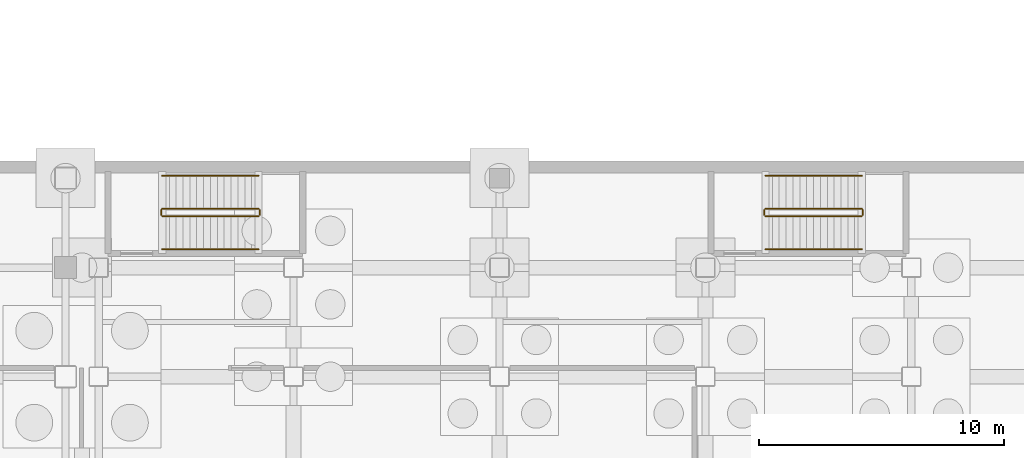
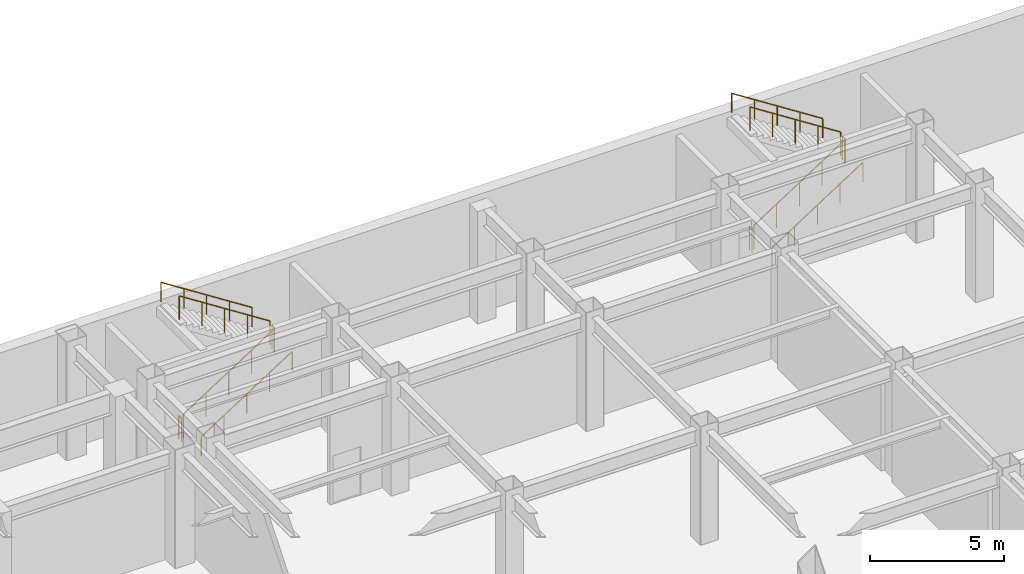
# One storey, part 49 of 55: 12 railings.
"""IFC4 building model written with IfcOpenShell, lengths in metres."""

from ifc_helpers import new_model, si_unit, direction, frame, origin, origin_2d, place, context, subcontext, project, spatial, circle, extrude, material, type_object, element, save


model = new_model("IFC4")

# Units and contexts
model_context = context("Model", 3, precision=1e-05, world=origin(), true_north=direction((0.0, 1.0)))
body_context = subcontext(model_context, "Body", "Model", "MODEL_VIEW")
ifc_project = project(units=[si_unit("LENGTHUNIT", "METRE"), si_unit("AREAUNIT", "SQUARE_METRE"), si_unit("VOLUMEUNIT", "CUBIC_METRE"), si_unit("PLANEANGLEUNIT", "RADIAN"), si_unit("MASSUNIT", "GRAM", prefix="KILO")], contexts=[model_context])

# Site, building, storey
site_placement = place(None, origin())
site = spatial("IfcSite", under=ifc_project, at=site_placement, CompositionType="ELEMENT")
building_placement = place(site_placement, origin())
building = spatial("IfcBuilding", under=site, at=building_placement, Name="Kazehara Bluff Congress Hotel", CompositionType="ELEMENT")
storey_placement = place(building_placement, frame((0.0, 0.0, -5.39990234375)))
storey = spatial("IfcBuildingStorey", under=building, at=storey_placement, Name="B1", CompositionType="ELEMENT", Elevation=-5.39990234375)

# Railings
ifc_material_1 = material(Name="Brushed stainless steel", Category="steel")
railing_type_1 = type_object("IfcRailingType", Name="TP-GRD-INT", PredefinedType="GUARDRAIL", material=ifc_material_1)
railing_1_placement = place(storey_placement, frame((62.300048828125, 112.0, 0.179931640625)))
element("IfcRailing", 1, at=railing_1_placement, inside=storey, type_object=railing_type_1, Name="B1 ST-06 stair guard 1", PredefinedType="GUARDRAIL", context=body_context, shape_type="SweptSolid", body=[
    extrude(circle(Radius=0.02392578125, at=origin_2d()), frame((0.0, 0.0, 1.076171875), z_axis=(0.841171666519, 0.0, 0.540768182723), x_axis=(0.0, 1.0, 0.0)), (0.0, 0.0, 1.0), 4.66015625),
    extrude(circle(Radius=0.02099609375, at=origin_2d()), origin(), (0.0, 0.0, 1.0), 1.052001953125),
    extrude(circle(Radius=0.02099609375, at=origin_2d()), frame((0.97998046875, 0.0, 0.6298828125)), (0.0, 0.0, 1.0), 1.052001953125),
    extrude(circle(Radius=0.02099609375, at=origin_2d()), frame((1.9599609375, 0.0, 1.260009765625)), (0.0, 0.0, 1.0), 1.052001953125),
    extrude(circle(Radius=0.02099609375, at=origin_2d()), frame((2.93994140625, 0.0, 1.89013671875)), (0.0, 0.0, 1.0), 1.052001953125),
    extrude(circle(Radius=0.02099609375, at=origin_2d()), frame((3.919921875, 0.0, 2.52001953125)), (0.0, 0.0, 1.0), 1.052001953125),
])
railing_2_placement = place(storey_placement, frame((66.27001953125, 112.050048828125, 2.699951171875)))
element("IfcRailing", 2, at=railing_2_placement, inside=storey, type_object=railing_type_1, Name="B1 ST-06 stair guard 2", PredefinedType="GUARDRAIL", context=body_context, shape_type="SweptSolid", body=[
    extrude(circle(Radius=0.02392578125, at=origin_2d()), frame((0.0, 0.0, 1.076171875), z_axis=(0.0, 1.0, 0.0), x_axis=(-1.0, 0.0, 0.0)), (0.0, 0.0, 1.0), 0.199951171875),
    extrude(circle(Radius=0.02099609375, at=origin_2d()), origin(), (0.0, 0.0, 1.0), 1.052001953125),
    extrude(circle(Radius=0.02099609375, at=origin_2d()), frame((0.0, 0.199951171875, 0.0)), (0.0, 0.0, 1.0), 1.052001953125),
])
railing_3_placement = place(storey_placement, frame((66.219970703125, 112.300048828125, 2.8798828125)))
element("IfcRailing", 3, at=railing_3_placement, inside=storey, type_object=railing_type_1, Name="B1 ST-06 stair guard 3", PredefinedType="GUARDRAIL", context=body_context, shape_type="SweptSolid", body=[
    extrude(circle(Radius=0.02392578125, at=origin_2d()), frame((0.0, 0.0, 1.076171875), z_axis=(-0.841171666519, 0.0, 0.540768182723), x_axis=(0.0, -1.0, 0.0)), (0.0, 0.0, 1.0), 4.66015625),
    extrude(circle(Radius=0.02099609375, at=origin_2d()), origin(), (0.0, 0.0, 1.0), 1.052001953125),
    extrude(circle(Radius=0.02099609375, at=origin_2d()), frame((-0.97998046875, 0.0, 0.6298828125)), (0.0, 0.0, 1.0), 1.052001953125),
    extrude(circle(Radius=0.02099609375, at=origin_2d()), frame((-1.9599609375, 0.0, 1.260009765625)), (0.0, 0.0, 1.0), 1.052001953125),
    extrude(circle(Radius=0.02099609375, at=origin_2d()), frame((-2.93994140625, 0.0, 1.89013671875)), (0.0, 0.0, 1.0), 1.052001953125),
    extrude(circle(Radius=0.02099609375, at=origin_2d()), frame((-3.919921875, 0.0, 2.52001953125)), (0.0, 0.0, 1.0), 1.052001953125),
])
railing_4_placement = place(storey_placement, frame((62.25, 112.050048828125, 0.0)))
element("IfcRailing", 4, at=railing_4_placement, inside=storey, type_object=railing_type_1, Name="B1 ST-06 stair guard 4", PredefinedType="GUARDRAIL", context=body_context, shape_type="SweptSolid", body=[
    extrude(circle(Radius=0.02392578125, at=origin_2d()), frame((0.0, 0.0, 1.076171875), z_axis=(0.0, 1.0, 0.0), x_axis=(-1.0, 0.0, 0.0)), (0.0, 0.0, 1.0), 0.199951171875),
    extrude(circle(Radius=0.02099609375, at=origin_2d()), origin(), (0.0, 0.0, 1.0), 1.052001953125),
    extrude(circle(Radius=0.02099609375, at=origin_2d()), frame((0.0, 0.199951171875, 0.0)), (0.0, 0.0, 1.0), 1.052001953125),
])
railing_5_placement = place(storey_placement, frame((86.89990234375, 112.0, 0.179931640625)))
element("IfcRailing", 5, at=railing_5_placement, inside=storey, type_object=railing_type_1, Name="B1 ST-07 stair guard 1", PredefinedType="GUARDRAIL", context=body_context, shape_type="SweptSolid", body=[
    extrude(circle(Radius=0.02392578125, at=origin_2d()), frame((0.0, 0.0, 1.076171875), z_axis=(0.841186985886, 0.0, 0.540744352514), x_axis=(0.0, 1.0, 0.0)), (0.0, 0.0, 1.0), 4.660400390625),
    extrude(circle(Radius=0.02099609375, at=origin_2d()), origin(), (0.0, 0.0, 1.0), 1.052001953125),
    extrude(circle(Radius=0.02099609375, at=origin_2d()), frame((0.97998046875, 0.0, 0.6298828125)), (0.0, 0.0, 1.0), 1.052001953125),
    extrude(circle(Radius=0.02099609375, at=origin_2d()), frame((1.9599609375, 0.0, 1.260009765625)), (0.0, 0.0, 1.0), 1.052001953125),
    extrude(circle(Radius=0.02099609375, at=origin_2d()), frame((2.940185546875, 0.0, 1.89013671875)), (0.0, 0.0, 1.0), 1.052001953125),
    extrude(circle(Radius=0.02099609375, at=origin_2d()), frame((3.920166015625, 0.0, 2.52001953125)), (0.0, 0.0, 1.0), 1.052001953125),
])
railing_6_placement = place(storey_placement, frame((90.8701171875, 112.050048828125, 2.699951171875)))
element("IfcRailing", 6, at=railing_6_placement, inside=storey, type_object=railing_type_1, Name="B1 ST-07 stair guard 2", PredefinedType="GUARDRAIL", context=body_context, shape_type="SweptSolid", body=[
    extrude(circle(Radius=0.02392578125, at=origin_2d()), frame((0.0, 0.0, 1.076171875), z_axis=(0.0, 1.0, 0.0), x_axis=(-1.0, 0.0, 0.0)), (0.0, 0.0, 1.0), 0.199951171875),
    extrude(circle(Radius=0.02099609375, at=origin_2d()), origin(), (0.0, 0.0, 1.0), 1.052001953125),
    extrude(circle(Radius=0.02099609375, at=origin_2d()), frame((0.0, 0.199951171875, 0.0)), (0.0, 0.0, 1.0), 1.052001953125),
])
railing_7_placement = place(storey_placement, frame((90.820068359375, 112.300048828125, 2.8798828125)))
element("IfcRailing", 7, at=railing_7_placement, inside=storey, type_object=railing_type_1, Name="B1 ST-07 stair guard 3", PredefinedType="GUARDRAIL", context=body_context, shape_type="SweptSolid", body=[
    extrude(circle(Radius=0.02392578125, at=origin_2d()), frame((0.0, 0.0, 1.076171875), z_axis=(-0.841186985886, 0.0, 0.540744352514), x_axis=(0.0, -1.0, 0.0)), (0.0, 0.0, 1.0), 4.660400390625),
    extrude(circle(Radius=0.02099609375, at=origin_2d()), origin(), (0.0, 0.0, 1.0), 1.052001953125),
    extrude(circle(Radius=0.02099609375, at=origin_2d()), frame((-0.97998046875, 0.0, 0.6298828125)), (0.0, 0.0, 1.0), 1.052001953125),
    extrude(circle(Radius=0.02099609375, at=origin_2d()), frame((-1.9599609375, 0.0, 1.260009765625)), (0.0, 0.0, 1.0), 1.052001953125),
    extrude(circle(Radius=0.02099609375, at=origin_2d()), frame((-2.940185546875, 0.0, 1.89013671875)), (0.0, 0.0, 1.0), 1.052001953125),
    extrude(circle(Radius=0.02099609375, at=origin_2d()), frame((-3.920166015625, 0.0, 2.52001953125)), (0.0, 0.0, 1.0), 1.052001953125),
])
railing_8_placement = place(storey_placement, frame((86.85009765625, 112.050048828125, 0.0)))
element("IfcRailing", 8, at=railing_8_placement, inside=storey, type_object=railing_type_1, Name="B1 ST-07 stair guard 4", PredefinedType="GUARDRAIL", context=body_context, shape_type="SweptSolid", body=[
    extrude(circle(Radius=0.02392578125, at=origin_2d()), frame((0.0, 0.0, 1.076171875), z_axis=(0.0, 1.0, 0.0), x_axis=(-1.0, 0.0, 0.0)), (0.0, 0.0, 1.0), 0.199951171875),
    extrude(circle(Radius=0.02099609375, at=origin_2d()), origin(), (0.0, 0.0, 1.0), 1.052001953125),
    extrude(circle(Radius=0.02099609375, at=origin_2d()), frame((0.0, 0.199951171875, 0.0)), (0.0, 0.0, 1.0), 1.052001953125),
])
ifc_material_2 = material(Name="Brushed stainless steel", Category="steel")
railing_type_2 = type_object("IfcRailingType", Name="TP-HR-INT", PredefinedType="HANDRAIL", material=ifc_material_2)
railing_9_placement = place(storey_placement, frame((62.300048828125, 110.64990234375, 0.179931640625)))
element("IfcRailing", 9, at=railing_9_placement, inside=storey, type_object=railing_type_2, Name="B1 ST-06 stair handrail 1", PredefinedType="HANDRAIL", context=body_context, shape_type="SweptSolid", body=[
    extrude(circle(Radius=0.02392578125, at=origin_2d()), frame((0.0, 0.0, 0.8759765625), z_axis=(0.841171666519, 0.0, 0.540768182723), x_axis=(0.0, 1.0, 0.0)), (0.0, 0.0, 1.0), 4.66015625),
    extrude(circle(Radius=0.02099609375, at=origin_2d()), origin(), (0.0, 0.0, 1.0), 0.851806640625),
    extrude(circle(Radius=0.02099609375, at=origin_2d()), frame((0.97998046875, 0.0, 0.6298828125)), (0.0, 0.0, 1.0), 0.851806640625),
    extrude(circle(Radius=0.02099609375, at=origin_2d()), frame((1.9599609375, 0.0, 1.260009765625)), (0.0, 0.0, 1.0), 0.851806640625),
    extrude(circle(Radius=0.02099609375, at=origin_2d()), frame((2.93994140625, 0.0, 1.89013671875)), (0.0, 0.0, 1.0), 0.851806640625),
    extrude(circle(Radius=0.02099609375, at=origin_2d()), frame((3.919921875, 0.0, 2.52001953125)), (0.0, 0.0, 1.0), 0.851806640625),
])
railing_10_placement = place(storey_placement, frame((66.219970703125, 113.64990234375, 2.8798828125)))
element("IfcRailing", 10, at=railing_10_placement, inside=storey, type_object=railing_type_2, Name="B1 ST-06 stair handrail 2", PredefinedType="HANDRAIL", context=body_context, shape_type="SweptSolid", body=[
    extrude(circle(Radius=0.02392578125, at=origin_2d()), frame((0.0, 0.0, 0.8759765625), z_axis=(-0.841171666519, 0.0, 0.540768182723), x_axis=(0.0, -1.0, 0.0)), (0.0, 0.0, 1.0), 4.66015625),
    extrude(circle(Radius=0.02099609375, at=origin_2d()), origin(), (0.0, 0.0, 1.0), 0.851806640625),
    extrude(circle(Radius=0.02099609375, at=origin_2d()), frame((-0.97998046875, 0.0, 0.6298828125)), (0.0, 0.0, 1.0), 0.851806640625),
    extrude(circle(Radius=0.02099609375, at=origin_2d()), frame((-1.9599609375, 0.0, 1.260009765625)), (0.0, 0.0, 1.0), 0.851806640625),
    extrude(circle(Radius=0.02099609375, at=origin_2d()), frame((-2.93994140625, 0.0, 1.89013671875)), (0.0, 0.0, 1.0), 0.851806640625),
    extrude(circle(Radius=0.02099609375, at=origin_2d()), frame((-3.919921875, 0.0, 2.52001953125)), (0.0, 0.0, 1.0), 0.851806640625),
])
railing_11_placement = place(storey_placement, frame((86.89990234375, 110.64990234375, 0.179931640625)))
element("IfcRailing", 11, at=railing_11_placement, inside=storey, type_object=railing_type_2, Name="B1 ST-07 stair handrail 1", PredefinedType="HANDRAIL", context=body_context, shape_type="SweptSolid", body=[
    extrude(circle(Radius=0.02392578125, at=origin_2d()), frame((0.0, 0.0, 0.8759765625), z_axis=(0.841186985886, 0.0, 0.540744352514), x_axis=(0.0, 1.0, 0.0)), (0.0, 0.0, 1.0), 4.660400390625),
    extrude(circle(Radius=0.02099609375, at=origin_2d()), origin(), (0.0, 0.0, 1.0), 0.851806640625),
    extrude(circle(Radius=0.02099609375, at=origin_2d()), frame((0.97998046875, 0.0, 0.6298828125)), (0.0, 0.0, 1.0), 0.851806640625),
    extrude(circle(Radius=0.02099609375, at=origin_2d()), frame((1.9599609375, 0.0, 1.260009765625)), (0.0, 0.0, 1.0), 0.851806640625),
    extrude(circle(Radius=0.02099609375, at=origin_2d()), frame((2.940185546875, 0.0, 1.89013671875)), (0.0, 0.0, 1.0), 0.851806640625),
    extrude(circle(Radius=0.02099609375, at=origin_2d()), frame((3.920166015625, 0.0, 2.52001953125)), (0.0, 0.0, 1.0), 0.851806640625),
])
railing_12_placement = place(storey_placement, frame((90.820068359375, 113.64990234375, 2.8798828125)))
element("IfcRailing", 12, at=railing_12_placement, inside=storey, type_object=railing_type_2, Name="B1 ST-07 stair handrail 2", PredefinedType="HANDRAIL", context=body_context, shape_type="SweptSolid", body=[
    extrude(circle(Radius=0.02392578125, at=origin_2d()), frame((0.0, 0.0, 0.8759765625), z_axis=(-0.841186985886, 0.0, 0.540744352514), x_axis=(0.0, -1.0, 0.0)), (0.0, 0.0, 1.0), 4.660400390625),
    extrude(circle(Radius=0.02099609375, at=origin_2d()), origin(), (0.0, 0.0, 1.0), 0.851806640625),
    extrude(circle(Radius=0.02099609375, at=origin_2d()), frame((-0.97998046875, 0.0, 0.6298828125)), (0.0, 0.0, 1.0), 0.851806640625),
    extrude(circle(Radius=0.02099609375, at=origin_2d()), frame((-1.9599609375, 0.0, 1.260009765625)), (0.0, 0.0, 1.0), 0.851806640625),
    extrude(circle(Radius=0.02099609375, at=origin_2d()), frame((-2.940185546875, 0.0, 1.89013671875)), (0.0, 0.0, 1.0), 0.851806640625),
    extrude(circle(Radius=0.02099609375, at=origin_2d()), frame((-3.920166015625, 0.0, 2.52001953125)), (0.0, 0.0, 1.0), 0.851806640625),
])

save(model, "model.ifc")
